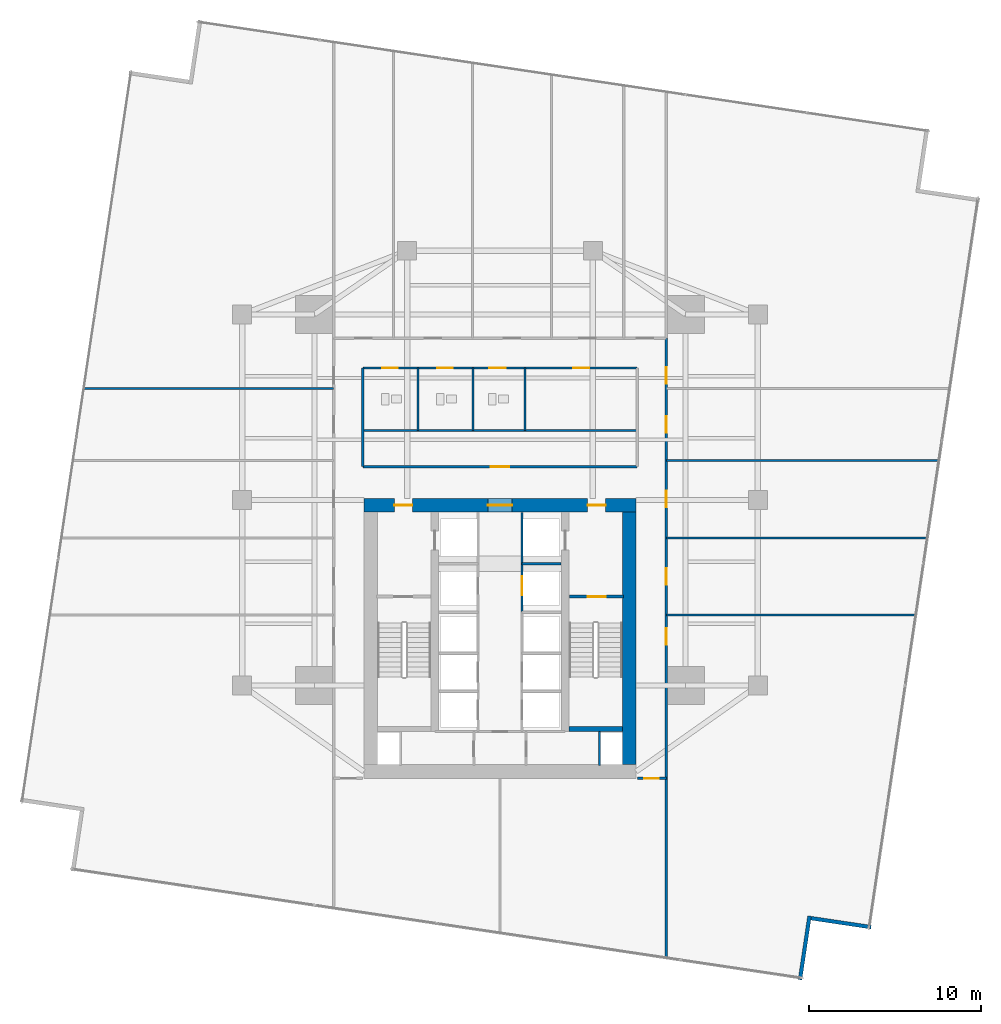
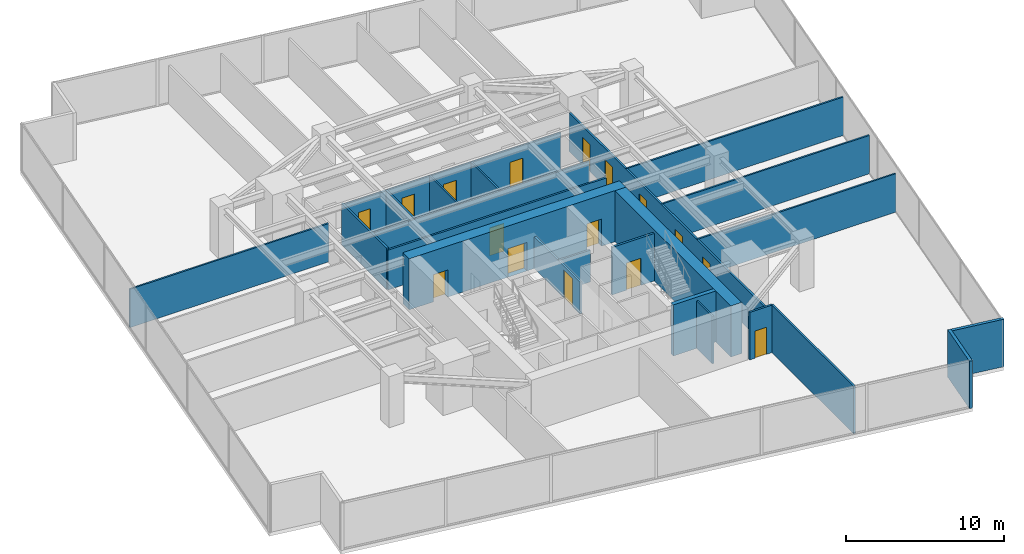
# One storey, part 26 of 29: 23 walls, 16 doors, 16 openings.
"""IFC4 building model written with IfcOpenShell, lengths in metres."""

from ifc_helpers import new_model, si_unit, direction, frame, frame_2d, origin, place, context, subcontext, project, spatial, rectangle, extrude, material, layer, layer_set, type_object, element, fill, save


model = new_model("IFC4")

# Units and contexts
model_context = context("Model", 3, precision=1e-05, world=origin(), true_north=direction((0.0, 1.0)))
body_context = subcontext(model_context, "Body", "Model", "MODEL_VIEW")
ifc_project = project(units=[si_unit("LENGTHUNIT", "METRE"), si_unit("AREAUNIT", "SQUARE_METRE"), si_unit("VOLUMEUNIT", "CUBIC_METRE"), si_unit("PLANEANGLEUNIT", "RADIAN"), si_unit("MASSUNIT", "GRAM", prefix="KILO")], contexts=[model_context])

# Site, building, storey
site_placement = place(None, origin())
site = spatial("IfcSite", under=ifc_project, at=site_placement, CompositionType="ELEMENT")
building_placement = place(site_placement, origin())
building = spatial("IfcBuilding", under=site, at=building_placement, Name="Krantzveldt Concourse Tower", CompositionType="ELEMENT")
storey_placement = place(building_placement, frame((0.0, 0.0, 72.39990234375)))
storey = spatial("IfcBuildingStorey", under=building, at=storey_placement, Name="L17", CompositionType="ELEMENT", Elevation=72.39990234375)

# Walls
ifc_material_1 = material(Name="Anodised aluminium 6063-T6", Category="aluminium")
ifc_layer_1 = layer(ifc_material_1, 0.219970703125, Name="Anodised aluminium 6063-T6", Category="aluminium")
ifc_layer_set_1 = layer_set([ifc_layer_1], Name="Anodised aluminium 6063-T6 (WL-EXT-NOTCH220)")
wall_type_1 = type_object("IfcWallType", Name="WL-EXT-NOTCH220", PredefinedType="ELEMENTEDWALL", material=ifc_layer_set_1)
wall_1_placement = place(storey_placement, frame((53.4560546875, -1.211669921875, 0.0), z_axis=(0.0, 0.0, 1.0), x_axis=(0.147852699435, 0.989009392913, 0.0)))
element("IfcWall", 1, at=wall_1_placement, inside=storey, type_object=wall_type_1, Name="EW-L17-NCH05", PredefinedType="ELEMENTEDWALL", context=body_context, shape_type="SweptSolid", body=[
    extrude(rectangle(XDim=3.7451171875, YDim=0.219970703125, at=frame_2d((1.87255859375, 0.0))), origin(), (0.0, 0.0, 1.0), 3.670166015625),
])
wall_2_placement = place(storey_placement, frame((54.102294921875, 2.366943359375, 0.0), z_axis=(0.0, 0.0, 1.0), x_axis=(0.989015973204, -0.147808676155, 0.0)))
element("IfcWall", 2, at=wall_2_placement, inside=storey, type_object=wall_type_1, Name="EW-L17-NCH06", PredefinedType="ELEMENTEDWALL", context=body_context, shape_type="SweptSolid", body=[
    extrude(rectangle(XDim=3.52490234375, YDim=0.219970703125, at=frame_2d((1.762451171875, 0.0))), origin(), (0.0, 0.0, 1.0), 3.670166015625),
])
ifc_material_2 = material(Name="Fire-rated gypsum plasterboard on steel stud", Category="steel")
ifc_layer_2 = layer(ifc_material_2, 0.1201171875, Name="Fire-rated gypsum plasterboard on steel stud", Category="steel")
ifc_layer_set_2 = layer_set([ifc_layer_2], Name="Fire-rated gypsum plasterboard on steel stud (WL-PART-120)")
wall_type_2 = type_object("IfcWallType", Name="WL-PART-120", PredefinedType="PARTITIONING", material=ifc_layer_set_2)
wall_3_placement = place(storey_placement, frame((28.02001953125, 30.739990234375, 0.0), z_axis=(0.0, 0.0, 1.0), x_axis=(1.0, 0.0, 0.0)))
element("IfcWall", 3, at=wall_3_placement, inside=storey, type_object=wall_type_2, Name="WP-L17-ISLM", PredefinedType="PARTITIONING", context=body_context, shape_type="SweptSolid", body=[
    extrude(rectangle(XDim=15.9599609375, YDim=0.1201171875, at=frame_2d((7.97998046875, 0.0))), origin(), (0.0, 0.0, 1.0), 3.080078125),
])
for number, where, z_axis, x_axis, name in (
    (4, (31.219970703125, 30.739990234375, 0.0), (0.0, 0.0, 1.0), (0.0, 1.0, 0.0), "WP-L17-WCD1"),
    (5, (34.419921875, 30.739990234375, 0.0), (0.0, 0.0, 1.0), (0.0, 1.0, 0.0), "WP-L17-WCD2"),
    (6, (37.449951171875, 30.739990234375, 0.0), (0.0, 0.0, 1.0), (0.0, 1.0, 0.0), "WP-L17-WCD3"),
):
    element("IfcWall", number, at=place(storey_placement, frame(where, z_axis=z_axis, x_axis=x_axis)), inside=storey, type_object=wall_type_2, Name=name, PredefinedType="PARTITIONING", context=body_context, shape_type="SweptSolid", body=[
        extrude(rectangle(XDim=3.639892578125, YDim=0.1201171875, at=frame_2d((1.81982421875, 0.0))), origin(), (0.0, 0.0, 1.0), 3.1201171875),
    ])
wall_4_placement = place(storey_placement, frame((11.784912109375, 33.199951171875, 0.0), z_axis=(0.0, 0.0, 1.0), x_axis=(1.0, 0.0, 0.0)))
element("IfcWall", 7, at=wall_4_placement, inside=storey, type_object=wall_type_2, Name="WP-L17-WD4", PredefinedType="PARTITIONING", context=body_context, shape_type="SweptSolid", body=[
    extrude(rectangle(XDim=14.53515625, YDim=0.1201171875, at=frame_2d((7.267578125, 0.0))), origin(), (0.0, 0.0, 1.0), 2.97021484375),
])
wall_5_placement = place(storey_placement, frame((45.679931640625, 20.0, 0.0), z_axis=(0.0, 0.0, 1.0), x_axis=(1.0, 0.0, 0.0)))
element("IfcWall", 8, at=wall_5_placement, inside=storey, type_object=wall_type_2, Name="WP-L17-ED1", PredefinedType="PARTITIONING", context=body_context, shape_type="SweptSolid", body=[
    extrude(rectangle(XDim=14.50537109375, YDim=0.1201171875, at=frame_2d((7.252685546875, 0.0))), origin(), (0.0, 0.0, 1.0), 2.97021484375),
])
wall_6_placement = place(storey_placement, frame((45.679931640625, 24.5, 0.0), z_axis=(0.0, 0.0, 1.0), x_axis=(1.0, 0.0, 0.0)))
element("IfcWall", 9, at=wall_6_placement, inside=storey, type_object=wall_type_2, Name="WP-L17-ED2", PredefinedType="PARTITIONING", context=body_context, shape_type="SweptSolid", body=[
    extrude(rectangle(XDim=15.177978515625, YDim=0.1201171875, at=frame_2d((7.5888671875, 0.0))), origin(), (0.0, 0.0, 1.0), 2.97021484375),
])
wall_7_placement = place(storey_placement, frame((45.679931640625, 29.0, 0.0), z_axis=(0.0, 0.0, 1.0), x_axis=(1.0, 0.0, 0.0)))
element("IfcWall", 10, at=wall_7_placement, inside=storey, type_object=wall_type_2, Name="WP-L17-ED3", PredefinedType="PARTITIONING", context=body_context, shape_type="SweptSolid", body=[
    extrude(rectangle(XDim=15.8505859375, YDim=0.1201171875, at=frame_2d((7.92529296875, 0.0))), origin(), (0.0, 0.0, 1.0), 2.97021484375),
])

# Wall, opening, door
ifc_layer_3 = layer(ifc_material_2, 0.139892578125, Name="Fire-rated gypsum plasterboard on steel stud", Category="steel")
ifc_layer_set_3 = layer_set([ifc_layer_3], Name="Fire-rated gypsum plasterboard on steel stud (WL-PART-140)")
wall_type_3 = type_object("IfcWallType", Name="WL-PART-140", PredefinedType="PARTITIONING", material=ifc_layer_set_3)
wall_8_placement = place(storey_placement, frame((28.02001953125, 28.639892578125, 0.0), z_axis=(0.0, 0.0, 1.0), x_axis=(1.0, 0.0, 0.0)))
wall_8 = element("IfcWall", 11, at=wall_8_placement, inside=storey, type_object=wall_type_3, Name="WP-L17-ISLS", PredefinedType="PARTITIONING", context=body_context, shape_type="SweptSolid", body=[
    extrude(rectangle(XDim=15.9599609375, YDim=0.139892578125, at=frame_2d((7.97998046875, 0.0))), origin(), (0.0, 0.0, 1.0), 3.080078125),
])
opening_1_placement = place(wall_8_placement, frame((7.455078125, 0.0, 0.0)))
opening_1 = element("IfcOpeningElement", 12, at=opening_1_placement, cuts=wall_8, Name="Opening D-IN105", PredefinedType="OPENING", context=body_context, shape_type="SweptSolid", body=[
    extrude(rectangle(XDim=1.050048828125, YDim=2.14990234375, at=frame_2d((0.52490234375, 1.074951171875))), frame((0.0, 0.080078125, 0.0), z_axis=(0.0, -1.0, 0.0), x_axis=(1.0, 0.0, 0.0)), (0.0, 0.0, 1.0), 0.159912109375),
])
ifc_material_3 = material(Name="Hardwood timber", Category="wood")
door_type_1 = type_object("IfcDoorType", Name="DR-INT-1050", OperationType="SINGLE_SWING_LEFT", PredefinedType="DOOR", material=ifc_material_3)
door_1_placement = place(opening_1_placement, origin())
door_1 = element("IfcDoor", 13, at=door_1_placement, inside=storey, type_object=door_type_1, Name="DR-L17-MIDB", OperationType="SINGLE_SWING_LEFT", OverallHeight=2.14990234375, OverallWidth=1.050048828125, PredefinedType="DOOR", context=body_context, shape_type="SweptSolid", body=[
    extrude(rectangle(XDim=1.050048828125, YDim=2.14990234375, at=frame_2d((0.52490234375, 1.074951171875))), frame((0.0, 0.02490234375, 0.0), z_axis=(0.0, -1.0, 0.0), x_axis=(1.0, 0.0, 0.0)), (0.0, 0.0, 1.0), 0.050048828125),
])
fill(opening_1, door_1)

# Wall, openings, doors
wall_9_placement = place(storey_placement, frame((28.02001953125, 34.3798828125, 0.0), z_axis=(0.0, 0.0, 1.0), x_axis=(1.0, 0.0, 0.0)))
wall_9 = element("IfcWall", 14, at=wall_9_placement, inside=storey, type_object=wall_type_3, Name="WP-L17-ISLN", PredefinedType="PARTITIONING", context=body_context, shape_type="SweptSolid", body=[
    extrude(rectangle(XDim=15.9599609375, YDim=0.139892578125, at=frame_2d((7.97998046875, 0.0))), origin(), (0.0, 0.0, 1.0), 3.080078125),
])
opening_2_placement = place(wall_9_placement, frame((1.1298828125, 0.0, 0.0)))
opening_2 = element("IfcOpeningElement", 15, at=opening_2_placement, cuts=wall_9, Name="Opening D-IN090", PredefinedType="OPENING", context=body_context, shape_type="SweptSolid", body=[
    extrude(rectangle(XDim=0.89990234375, YDim=2.10009765625, at=frame_2d((0.449951171875, 1.050048828125))), frame((0.0, 0.080078125, 0.0), z_axis=(0.0, -1.0, 0.0), x_axis=(1.0, 0.0, 0.0)), (0.0, 0.0, 1.0), 0.159912109375),
])
opening_3_placement = place(wall_9_placement, frame((4.330078125, 0.0, 0.0)))
opening_3 = element("IfcOpeningElement", 16, at=opening_3_placement, cuts=wall_9, Name="Opening D-IN090", PredefinedType="OPENING", context=body_context, shape_type="SweptSolid", body=[
    extrude(rectangle(XDim=0.89990234375, YDim=2.10009765625, at=frame_2d((0.449951171875, 1.050048828125))), frame((0.0, 0.080078125, 0.0), z_axis=(0.0, -1.0, 0.0), x_axis=(1.0, 0.0, 0.0)), (0.0, 0.0, 1.0), 0.159912109375),
])
opening_4_placement = place(wall_9_placement, frame((7.35498046875, 0.0, 0.0)))
opening_4 = element("IfcOpeningElement", 17, at=opening_4_placement, cuts=wall_9, Name="Opening D-IN095", PredefinedType="OPENING", context=body_context, shape_type="SweptSolid", body=[
    extrude(rectangle(XDim=0.949951171875, YDim=2.10009765625, at=frame_2d((0.47509765625, 1.050048828125))), frame((0.0, 0.080078125, 0.0), z_axis=(0.0, -1.0, 0.0), x_axis=(1.0, 0.0, 0.0)), (0.0, 0.0, 1.0), 0.159912109375),
])
opening_5_placement = place(wall_9_placement, frame((12.22998046875, 0.0, 0.0)))
opening_5 = element("IfcOpeningElement", 18, at=opening_5_placement, cuts=wall_9, Name="Opening D-IN095", PredefinedType="OPENING", context=body_context, shape_type="SweptSolid", body=[
    extrude(rectangle(XDim=0.949951171875, YDim=2.10009765625, at=frame_2d((0.47509765625, 1.050048828125))), frame((0.0, 0.080078125, 0.0), z_axis=(0.0, -1.0, 0.0), x_axis=(1.0, 0.0, 0.0)), (0.0, 0.0, 1.0), 0.159912109375),
])
door_type_2 = type_object("IfcDoorType", Name="DR-INT-900", OperationType="SINGLE_SWING_LEFT", PredefinedType="DOOR", material=ifc_material_3)
door_2_placement = place(opening_2_placement, origin())
door_2 = element("IfcDoor", 19, at=door_2_placement, inside=storey, type_object=door_type_2, Name="DR-L17-WCM", OperationType="SINGLE_SWING_LEFT", OverallHeight=2.10009765625, OverallWidth=0.89990234375, PredefinedType="DOOR", context=body_context, shape_type="SweptSolid", body=[
    extrude(rectangle(XDim=0.89990234375, YDim=2.10009765625, at=frame_2d((0.449951171875, 1.050048828125))), frame((0.0, 0.02490234375, 0.0), z_axis=(0.0, -1.0, 0.0), x_axis=(1.0, 0.0, 0.0)), (0.0, 0.0, 1.0), 0.050048828125),
])
fill(opening_2, door_2)
door_3_placement = place(opening_3_placement, origin())
door_3 = element("IfcDoor", 20, at=door_3_placement, inside=storey, type_object=door_type_2, Name="DR-L17-WCF", OperationType="SINGLE_SWING_RIGHT", OverallHeight=2.10009765625, OverallWidth=0.89990234375, PredefinedType="DOOR", context=body_context, shape_type="SweptSolid", body=[
    extrude(rectangle(XDim=0.89990234375, YDim=2.10009765625, at=frame_2d((0.449951171875, 1.050048828125))), frame((0.0, 0.02490234375, 0.0), z_axis=(0.0, -1.0, 0.0), x_axis=(1.0, 0.0, 0.0)), (0.0, 0.0, 1.0), 0.050048828125),
])
fill(opening_3, door_3)
door_type_3 = type_object("IfcDoorType", Name="DR-INT-950", OperationType="SINGLE_SWING_LEFT", PredefinedType="DOOR", material=ifc_material_3)
door_4_placement = place(opening_4_placement, origin())
door_4 = element("IfcDoor", 21, at=door_4_placement, inside=storey, type_object=door_type_3, Name="DR-L17-WCA", OperationType="SINGLE_SWING_LEFT", OverallHeight=2.10009765625, OverallWidth=0.949951171875, PredefinedType="DOOR", context=body_context, shape_type="SweptSolid", body=[
    extrude(rectangle(XDim=0.949951171875, YDim=2.10009765625, at=frame_2d((0.47509765625, 1.050048828125))), frame((0.0, 0.02490234375, 0.0), z_axis=(0.0, -1.0, 0.0), x_axis=(1.0, 0.0, 0.0)), (0.0, 0.0, 1.0), 0.050048828125),
])
fill(opening_4, door_4)
door_5_placement = place(opening_5_placement, origin())
door_5 = element("IfcDoor", 22, at=door_5_placement, inside=storey, type_object=door_type_3, Name="DR-L17-PNT", OperationType="SINGLE_SWING_RIGHT", OverallHeight=2.10009765625, OverallWidth=0.949951171875, PredefinedType="DOOR", context=body_context, shape_type="SweptSolid", body=[
    extrude(rectangle(XDim=0.949951171875, YDim=2.10009765625, at=frame_2d((0.47509765625, 1.050048828125))), frame((0.0, 0.02490234375, 0.0), z_axis=(0.0, -1.0, 0.0), x_axis=(1.0, 0.0, 0.0)), (0.0, 0.0, 1.0), 0.050048828125),
])
fill(opening_5, door_5)

# Wall
wall_10_placement = place(storey_placement, frame((28.02001953125, 28.639892578125, 0.0), z_axis=(0.0, 0.0, 1.0), x_axis=(0.0, 1.0, 0.0)))
element("IfcWall", 23, at=wall_10_placement, inside=storey, type_object=wall_type_3, Name="WP-L17-ISLW", PredefinedType="PARTITIONING", context=body_context, shape_type="SweptSolid", body=[
    extrude(rectangle(XDim=5.739990234375, YDim=0.139892578125, at=frame_2d((2.8701171875, 0.0))), origin(), (0.0, 0.0, 1.0), 3.22021484375),
])

# Wall, openings, doors
wall_11_placement = place(storey_placement, frame((45.679931640625, 10.5, 0.0), z_axis=(0.0, 0.0, 1.0), x_axis=(0.0, 1.0, 0.0)))
wall_11 = element("IfcWall", 24, at=wall_11_placement, inside=storey, type_object=wall_type_3, Name="WP-L17-CEAST", PredefinedType="PARTITIONING", context=body_context, shape_type="SweptSolid", body=[
    extrude(rectangle(XDim=25.6201171875, YDim=0.139892578125, at=frame_2d((12.81005859375, 0.0))), origin(), (0.0, 0.0, 1.0), 2.97021484375),
])
opening_6_placement = place(wall_11_placement, frame((7.77490234375, 0.0, 0.0)))
opening_6 = element("IfcOpeningElement", 25, at=opening_6_placement, cuts=wall_11, Name="Opening D-IN095", PredefinedType="OPENING", context=body_context, shape_type="SweptSolid", body=[
    extrude(rectangle(XDim=0.949951171875, YDim=2.10009765625, at=frame_2d((0.47509765625, 1.050048828125))), frame((0.0, 0.080078125, 0.0), z_axis=(0.0, -1.0, 0.0), x_axis=(1.0, 0.0, 0.0)), (0.0, 0.0, 1.0), 0.159912109375),
])
opening_7_placement = place(wall_11_placement, frame((11.27490234375, 0.0, 0.0)))
opening_7 = element("IfcOpeningElement", 26, at=opening_7_placement, cuts=wall_11, Name="Opening D-IN095", PredefinedType="OPENING", context=body_context, shape_type="SweptSolid", body=[
    extrude(rectangle(XDim=0.949951171875, YDim=2.10009765625, at=frame_2d((0.47509765625, 1.050048828125))), frame((0.0, 0.080078125, 0.0), z_axis=(0.0, -1.0, 0.0), x_axis=(1.0, 0.0, 0.0)), (0.0, 0.0, 1.0), 0.159912109375),
])
opening_8_placement = place(wall_11_placement, frame((15.77490234375, 0.0, 0.0)))
opening_8 = element("IfcOpeningElement", 27, at=opening_8_placement, cuts=wall_11, Name="Opening D-IN095", PredefinedType="OPENING", context=body_context, shape_type="SweptSolid", body=[
    extrude(rectangle(XDim=0.949951171875, YDim=2.10009765625, at=frame_2d((0.47509765625, 1.050048828125))), frame((0.0, 0.080078125, 0.0), z_axis=(0.0, -1.0, 0.0), x_axis=(1.0, 0.0, 0.0)), (0.0, 0.0, 1.0), 0.159912109375),
])
opening_9_placement = place(wall_11_placement, frame((20.125, 0.0, 0.0)))
opening_9 = element("IfcOpeningElement", 28, at=opening_9_placement, cuts=wall_11, Name="Opening D-IN095", PredefinedType="OPENING", context=body_context, shape_type="SweptSolid", body=[
    extrude(rectangle(XDim=0.949951171875, YDim=2.10009765625, at=frame_2d((0.47509765625, 1.050048828125))), frame((0.0, 0.080078125, 0.0), z_axis=(0.0, -1.0, 0.0), x_axis=(1.0, 0.0, 0.0)), (0.0, 0.0, 1.0), 0.159912109375),
])
opening_10_placement = place(wall_11_placement, frame((22.97509765625, 0.0, 0.0)))
opening_10 = element("IfcOpeningElement", 29, at=opening_10_placement, cuts=wall_11, Name="Opening D-IN095", PredefinedType="OPENING", context=body_context, shape_type="SweptSolid", body=[
    extrude(rectangle(XDim=0.949951171875, YDim=2.10009765625, at=frame_2d((0.47509765625, 1.050048828125))), frame((0.0, 0.080078125, 0.0), z_axis=(0.0, -1.0, 0.0), x_axis=(1.0, 0.0, 0.0)), (0.0, 0.0, 1.0), 0.159912109375),
])
door_6_placement = place(opening_6_placement, origin())
door_6 = element("IfcDoor", 30, at=door_6_placement, inside=storey, type_object=door_type_3, Name="DR-L17-ER1", OperationType="SINGLE_SWING_LEFT", OverallHeight=2.10009765625, OverallWidth=0.949951171875, PredefinedType="DOOR", context=body_context, shape_type="SweptSolid", body=[
    extrude(rectangle(XDim=0.949951171875, YDim=2.10009765625, at=frame_2d((0.47509765625, 1.050048828125))), frame((0.0, 0.02490234375, 0.0), z_axis=(0.0, -1.0, 0.0), x_axis=(1.0, 0.0, 0.0)), (0.0, 0.0, 1.0), 0.050048828125),
])
fill(opening_6, door_6)
door_7_placement = place(opening_7_placement, origin())
door_7 = element("IfcDoor", 31, at=door_7_placement, inside=storey, type_object=door_type_3, Name="DR-L17-ER2", OperationType="SINGLE_SWING_LEFT", OverallHeight=2.10009765625, OverallWidth=0.949951171875, PredefinedType="DOOR", context=body_context, shape_type="SweptSolid", body=[
    extrude(rectangle(XDim=0.949951171875, YDim=2.10009765625, at=frame_2d((0.47509765625, 1.050048828125))), frame((0.0, 0.02490234375, 0.0), z_axis=(0.0, -1.0, 0.0), x_axis=(1.0, 0.0, 0.0)), (0.0, 0.0, 1.0), 0.050048828125),
])
fill(opening_7, door_7)
door_8_placement = place(opening_8_placement, origin())
door_8 = element("IfcDoor", 32, at=door_8_placement, inside=storey, type_object=door_type_3, Name="DR-L17-ER3", OperationType="SINGLE_SWING_LEFT", OverallHeight=2.10009765625, OverallWidth=0.949951171875, PredefinedType="DOOR", context=body_context, shape_type="SweptSolid", body=[
    extrude(rectangle(XDim=0.949951171875, YDim=2.10009765625, at=frame_2d((0.47509765625, 1.050048828125))), frame((0.0, 0.02490234375, 0.0), z_axis=(0.0, -1.0, 0.0), x_axis=(1.0, 0.0, 0.0)), (0.0, 0.0, 1.0), 0.050048828125),
])
fill(opening_8, door_8)
door_9_placement = place(opening_9_placement, origin())
door_9 = element("IfcDoor", 33, at=door_9_placement, inside=storey, type_object=door_type_3, Name="DR-L17-ER4", OperationType="SINGLE_SWING_LEFT", OverallHeight=2.10009765625, OverallWidth=0.949951171875, PredefinedType="DOOR", context=body_context, shape_type="SweptSolid", body=[
    extrude(rectangle(XDim=0.949951171875, YDim=2.10009765625, at=frame_2d((0.47509765625, 1.050048828125))), frame((0.0, 0.02490234375, 0.0), z_axis=(0.0, -1.0, 0.0), x_axis=(1.0, 0.0, 0.0)), (0.0, 0.0, 1.0), 0.050048828125),
])
fill(opening_9, door_9)
door_10_placement = place(opening_10_placement, origin())
door_10 = element("IfcDoor", 34, at=door_10_placement, inside=storey, type_object=door_type_3, Name="DR-L17-ER5", OperationType="SINGLE_SWING_LEFT", OverallHeight=2.10009765625, OverallWidth=0.949951171875, PredefinedType="DOOR", context=body_context, shape_type="SweptSolid", body=[
    extrude(rectangle(XDim=0.949951171875, YDim=2.10009765625, at=frame_2d((0.47509765625, 1.050048828125))), frame((0.0, 0.02490234375, 0.0), z_axis=(0.0, -1.0, 0.0), x_axis=(1.0, 0.0, 0.0)), (0.0, 0.0, 1.0), 0.050048828125),
])
fill(opening_10, door_10)

# Wall, opening, door
wall_12_placement = place(storey_placement, frame((44.0, 10.5, 0.0), z_axis=(0.0, 0.0, 1.0), x_axis=(1.0, 0.0, 0.0)))
wall_12 = element("IfcWall", 35, at=wall_12_placement, inside=storey, type_object=wall_type_3, Name="WP-L17-CEBOT", PredefinedType="PARTITIONING", context=body_context, shape_type="SweptSolid", body=[
    extrude(rectangle(XDim=1.679931640625, YDim=0.139892578125, at=frame_2d((0.83984375, 0.0))), origin(), (0.0, 0.0, 1.0), 3.670166015625),
])
opening_11_placement = place(wall_12_placement, frame((0.385009765625, 0.0, 0.0)))
opening_11 = element("IfcOpeningElement", 36, at=opening_11_placement, cuts=wall_12, Name="Opening D-IN085", PredefinedType="OPENING", context=body_context, shape_type="SweptSolid", body=[
    extrude(rectangle(XDim=0.85009765625, YDim=2.10009765625, at=frame_2d((0.425048828125, 1.050048828125))), frame((0.0, 0.080078125, 0.0), z_axis=(0.0, -1.0, 0.0), x_axis=(1.0, 0.0, 0.0)), (0.0, 0.0, 1.0), 0.159912109375),
])
door_type_4 = type_object("IfcDoorType", Name="DR-INT-850", OperationType="SINGLE_SWING_LEFT", PredefinedType="DOOR", material=ifc_material_3)
door_11_placement = place(opening_11_placement, origin())
door_11 = element("IfcDoor", 37, at=door_11_placement, inside=storey, type_object=door_type_4, Name="DR-L17-SR2", OperationType="SINGLE_SWING_LEFT", OverallHeight=2.10009765625, OverallWidth=0.85009765625, PredefinedType="DOOR", context=body_context, shape_type="SweptSolid", body=[
    extrude(rectangle(XDim=0.85009765625, YDim=2.10009765625, at=frame_2d((0.425048828125, 1.050048828125))), frame((0.0, 0.02490234375, 0.0), z_axis=(0.0, -1.0, 0.0), x_axis=(1.0, 0.0, 0.0)), (0.0, 0.0, 1.0), 0.050048828125),
])
fill(opening_11, door_11)

# Wall
wall_13_placement = place(storey_placement, frame((45.679931640625, 0.066650390625, 0.0), z_axis=(0.0, 0.0, 1.0), x_axis=(0.0, 1.0, 0.0)))
element("IfcWall", 38, at=wall_13_placement, inside=storey, type_object=wall_type_3, Name="WP-L17-SER", PredefinedType="PARTITIONING", context=body_context, shape_type="SweptSolid", body=[
    extrude(rectangle(XDim=10.433349609375, YDim=0.139892578125, at=frame_2d((5.216796875, 0.0))), origin(), (0.0, 0.0, 1.0), 3.670166015625),
])

# Wall, opening, door
ifc_layer_4 = layer(ifc_material_2, 0.139892578125, Name="Fire-rated gypsum plasterboard on steel stud", Category="steel")
ifc_layer_set_4 = layer_set([ifc_layer_4], Name="Fire-rated gypsum plasterboard on steel stud (WL-PART-FR140)")
wall_type_4 = type_object("IfcWallType", Name="WL-PART-FR140", PredefinedType="PARTITIONING", material=ifc_layer_set_4)
wall_14_placement = place(storey_placement, frame((37.280029296875, 20.199951171875, 0.0), z_axis=(0.0, 0.0, 1.0), x_axis=(0.0, 1.0, 0.0)))
wall_14 = element("IfcWall", 39, at=wall_14_placement, inside=storey, type_object=wall_type_4, Name="WP-L17-SHNE", PredefinedType="PARTITIONING", context=body_context, shape_type="SweptSolid", body=[
    extrude(rectangle(XDim=5.780029296875, YDim=0.139892578125, at=frame_2d((2.89013671875, 0.0))), origin(), (0.0, 0.0, 1.0), 2.47021484375),
])
opening_12_placement = place(wall_14_placement, frame((0.949951171875, 0.0, 0.0)))
opening_12 = element("IfcOpeningElement", 40, at=opening_12_placement, cuts=wall_14, Name="Opening LD", PredefinedType="OPENING", context=body_context, shape_type="SweptSolid", body=[
    extrude(rectangle(XDim=1.10009765625, YDim=2.14990234375, at=frame_2d((0.550048828125, 1.074951171875))), frame((0.0, 0.080078125, 0.0), z_axis=(0.0, -1.0, 0.0), x_axis=(1.0, 0.0, 0.0)), (0.0, 0.0, 1.0), 0.159912109375),
])
ifc_material_4 = material(Name="Stainless steel 316L", Category="steel")
door_type_5 = type_object("IfcDoorType", Name="DR-SLIDE-LD1100", OperationType="DOUBLE_DOOR_SLIDING", PredefinedType="DOOR", material=ifc_material_4)
door_12_placement = place(opening_12_placement, origin())
door_12 = element("IfcDoor", 41, at=door_12_placement, inside=storey, type_object=door_type_5, Name="LD-L17-GL1", OperationType="DOUBLE_DOOR_SLIDING", OverallHeight=2.14990234375, OverallWidth=1.10009765625, PredefinedType="DOOR", context=body_context, shape_type="SweptSolid", body=[
    extrude(rectangle(XDim=1.10009765625, YDim=2.14990234375, at=frame_2d((0.550048828125, 1.074951171875))), frame((0.0, 0.02490234375, 0.0), z_axis=(0.0, -1.0, 0.0), x_axis=(1.0, 0.0, 0.0)), (0.0, 0.0, 1.0), 0.050048828125),
])
fill(opening_12, door_12)

# Walls
wall_15_placement = place(storey_placement, frame((37.280029296875, 23.0, 0.0), z_axis=(0.0, 0.0, 1.0), x_axis=(1.0, 0.0, 0.0)))
element("IfcWall", 42, at=wall_15_placement, inside=storey, type_object=wall_type_4, Name="WP-L17-GLH", PredefinedType="PARTITIONING", context=body_context, shape_type="SweptSolid", body=[
    extrude(rectangle(XDim=2.27001953125, YDim=0.139892578125, at=frame_2d((1.135009765625, 0.0))), origin(), (0.0, 0.0, 1.0), 2.47021484375),
])
wall_16_placement = place(storey_placement, frame((41.780029296875, 11.25, 0.0), z_axis=(0.0, 0.0, 1.0), x_axis=(0.0, 1.0, 0.0)))
element("IfcWall", 43, at=wall_16_placement, inside=storey, type_object=wall_type_4, Name="WP-L17-RSE", PredefinedType="PARTITIONING", context=body_context, shape_type="SweptSolid", body=[
    extrude(rectangle(XDim=1.969970703125, YDim=0.1201171875, at=frame_2d((0.98486328125, 0.0))), origin(), (0.0, 0.0, 1.0), 3.670166015625),
])

# Wall, opening, door
ifc_layer_5 = layer(ifc_material_2, 0.159912109375, Name="Fire-rated gypsum plasterboard on steel stud", Category="steel")
ifc_layer_set_5 = layer_set([ifc_layer_5], Name="Fire-rated gypsum plasterboard on steel stud (WL-PART-FR160)")
wall_type_5 = type_object("IfcWallType", Name="WL-PART-FR160", PredefinedType="PARTITIONING", material=ifc_layer_set_5)
wall_17_placement = place(storey_placement, frame((40.0400390625, 21.080078125, 0.0), z_axis=(0.0, 0.0, 1.0), x_axis=(1.0, 0.0, 0.0)))
wall_17 = element("IfcWall", 44, at=wall_17_placement, inside=storey, type_object=wall_type_5, Name="WP-L17-ST2", PredefinedType="PARTITIONING", context=body_context, shape_type="SweptSolid", body=[
    extrude(rectangle(XDim=3.159912109375, YDim=0.159912109375, at=frame_2d((1.580078125, 0.0))), origin(), (0.0, 0.0, 1.0), 3.670166015625),
])
opening_13_placement = place(wall_17_placement, frame((1.054931640625, 0.0, 0.0)))
opening_13 = element("IfcOpeningElement", 45, at=opening_13_placement, cuts=wall_17, Name="Opening D-FD105", PredefinedType="OPENING", context=body_context, shape_type="SweptSolid", body=[
    extrude(rectangle(XDim=1.050048828125, YDim=2.10009765625, at=frame_2d((0.52490234375, 1.050048828125))), frame((0.0, 0.08984375, 0.0), z_axis=(0.0, -1.0, 0.0), x_axis=(1.0, 0.0, 0.0)), (0.0, 0.0, 1.0), 0.179931640625),
])
ifc_material_5 = material(Name="Galvanised steel", Category="steel")
door_type_6 = type_object("IfcDoorType", Name="DR-FD120-1050", OperationType="SINGLE_SWING_LEFT", PredefinedType="DOOR", material=ifc_material_5)
door_13_placement = place(opening_13_placement, origin())
door_13 = element("IfcDoor", 46, at=door_13_placement, inside=storey, type_object=door_type_6, Name="DR-L17-ST2", OperationType="SINGLE_SWING_LEFT", OverallHeight=2.10009765625, OverallWidth=1.050048828125, PredefinedType="DOOR", context=body_context, shape_type="SweptSolid", body=[
    extrude(rectangle(XDim=1.050048828125, YDim=2.10009765625, at=frame_2d((0.52490234375, 1.050048828125))), frame((0.0, 0.02490234375, 0.0), z_axis=(0.0, -1.0, 0.0), x_axis=(1.0, 0.0, 0.0)), (0.0, 0.0, 1.0), 0.050048828125),
])
fill(opening_13, door_13)

# Wall
ifc_material_6 = material(Name="Concrete C50/60", Category="concrete")
ifc_layer_6 = layer(ifc_material_6, 0.300048828125, Name="Concrete C50/60", Category="concrete")
ifc_layer_set_6 = layer_set([ifc_layer_6], Name="Concrete C50/60 (WL-SHEAR-300)")
wall_type_6 = type_object("IfcWallType", Name="WL-SHEAR-300", PredefinedType="SHEAR", material=ifc_layer_set_6)
wall_18_placement = place(storey_placement, frame((40.02001953125, 13.3701171875, 0.0), z_axis=(0.0, 0.0, 1.0), x_axis=(1.0, 0.0, 0.0)))
element("IfcWall", 47, at=wall_18_placement, inside=storey, type_object=wall_type_6, Name="CW-L17-ST2S", PredefinedType="SHEAR", context=body_context, shape_type="SweptSolid", body=[
    extrude(rectangle(XDim=3.10009765625, YDim=0.300048828125, at=frame_2d((1.550048828125, 0.0))), origin(), (0.0, 0.0, 1.0), 3.9501953125),
])

# Wall, openings, doors
ifc_material_7 = material(Name="Concrete C60/75", Category="concrete")
ifc_layer_7 = layer(ifc_material_7, 0.800048828125, Name="Concrete C60/75", Category="concrete")
ifc_layer_set_7 = layer_set([ifc_layer_7], Name="Concrete C60/75 (WL-SHEAR-800)")
wall_type_7 = type_object("IfcWallType", Name="WL-SHEAR-800", PredefinedType="SHEAR", material=ifc_layer_set_7)
wall_19_placement = place(storey_placement, frame((28.080078125, 26.39990234375, 0.0), z_axis=(0.0, 0.0, 1.0), x_axis=(1.0, 0.0, 0.0)))
wall_19 = element("IfcWall", 48, at=wall_19_placement, inside=storey, type_object=wall_type_7, Name="CW-L17-N", PredefinedType="SHEAR", context=body_context, shape_type="SweptSolid", body=[
    extrude(rectangle(XDim=15.83984375, YDim=0.800048828125, at=frame_2d((7.919921875, 0.0))), origin(), (0.0, 0.0, 1.0), 3.9501953125),
])
opening_14_placement = place(wall_19_placement, frame((7.219970703125, 0.0, 0.0)))
opening_14 = element("IfcOpeningElement", 49, at=opening_14_placement, cuts=wall_19, Name="Opening D-DB140", PredefinedType="OPENING", context=body_context, shape_type="SweptSolid", body=[
    extrude(rectangle(XDim=1.39990234375, YDim=2.199951171875, at=frame_2d((0.699951171875, 1.10009765625))), frame((0.0, 0.41015625, 0.0), z_axis=(0.0, -1.0, 0.0), x_axis=(1.0, 0.0, 0.0)), (0.0, 0.0, 1.0), 0.820068359375),
])
opening_15_placement = place(wall_19_placement, frame((1.77490234375, 0.0, 0.0)))
opening_15 = element("IfcOpeningElement", 50, at=opening_15_placement, cuts=wall_19, Name="Opening D-FD105", PredefinedType="OPENING", context=body_context, shape_type="SweptSolid", body=[
    extrude(rectangle(XDim=1.050048828125, YDim=2.10009765625, at=frame_2d((0.52490234375, 1.050048828125))), frame((0.0, 0.41015625, 0.0), z_axis=(0.0, -1.0, 0.0), x_axis=(1.0, 0.0, 0.0)), (0.0, 0.0, 1.0), 0.820068359375),
])
opening_16_placement = place(wall_19_placement, frame((13.014892578125, 0.0, 0.0)))
opening_16 = element("IfcOpeningElement", 51, at=opening_16_placement, cuts=wall_19, Name="Opening D-FD105", PredefinedType="OPENING", context=body_context, shape_type="SweptSolid", body=[
    extrude(rectangle(XDim=1.050048828125, YDim=2.10009765625, at=frame_2d((0.52490234375, 1.050048828125))), frame((0.0, 0.41015625, 0.0), z_axis=(0.0, -1.0, 0.0), x_axis=(1.0, 0.0, 0.0)), (0.0, 0.0, 1.0), 0.820068359375),
])
door_type_7 = type_object("IfcDoorType", Name="DR-DBL-1400", OperationType="DOUBLE_DOOR_SINGLE_SWING", PredefinedType="DOOR", material=ifc_material_1)
door_14_placement = place(opening_14_placement, origin())
door_14 = element("IfcDoor", 52, at=door_14_placement, inside=storey, type_object=door_type_7, Name="DR-L17-LLB", OperationType="DOUBLE_DOOR_SINGLE_SWING", OverallHeight=2.199951171875, OverallWidth=1.39990234375, PredefinedType="DOOR", context=body_context, shape_type="SweptSolid", body=[
    extrude(rectangle(XDim=1.39990234375, YDim=2.199951171875, at=frame_2d((0.699951171875, 1.10009765625))), frame((0.0, 0.02490234375, 0.0), z_axis=(0.0, -1.0, 0.0), x_axis=(1.0, 0.0, 0.0)), (0.0, 0.0, 1.0), 0.050048828125),
])
fill(opening_14, door_14)
door_15_placement = place(opening_15_placement, origin())
door_15 = element("IfcDoor", 53, at=door_15_placement, inside=storey, type_object=door_type_6, Name="DR-L17-FFL1", OperationType="SINGLE_SWING_LEFT", OverallHeight=2.10009765625, OverallWidth=1.050048828125, PredefinedType="DOOR", context=body_context, shape_type="SweptSolid", body=[
    extrude(rectangle(XDim=1.050048828125, YDim=2.10009765625, at=frame_2d((0.52490234375, 1.050048828125))), frame((0.0, 0.02490234375, 0.0), z_axis=(0.0, -1.0, 0.0), x_axis=(1.0, 0.0, 0.0)), (0.0, 0.0, 1.0), 0.050048828125),
])
fill(opening_15, door_15)
door_16_placement = place(opening_16_placement, origin())
door_16 = element("IfcDoor", 54, at=door_16_placement, inside=storey, type_object=door_type_6, Name="DR-L17-FFL2", OperationType="SINGLE_SWING_RIGHT", OverallHeight=2.10009765625, OverallWidth=1.050048828125, PredefinedType="DOOR", context=body_context, shape_type="SweptSolid", body=[
    extrude(rectangle(XDim=1.050048828125, YDim=2.10009765625, at=frame_2d((0.52490234375, 1.050048828125))), frame((0.0, 0.02490234375, 0.0), z_axis=(0.0, -1.0, 0.0), x_axis=(1.0, 0.0, 0.0)), (0.0, 0.0, 1.0), 0.050048828125),
])
fill(opening_16, door_16)

# Wall
wall_20_placement = place(storey_placement, frame((43.52001953125, 11.300048828125, 0.0), z_axis=(0.0, 0.0, 1.0), x_axis=(0.0, 1.0, 0.0)))
element("IfcWall", 55, at=wall_20_placement, inside=storey, type_object=wall_type_7, Name="CW-L17-E", PredefinedType="SHEAR", context=body_context, shape_type="SweptSolid", body=[
    extrude(rectangle(XDim=14.699951171875, YDim=0.800048828125, at=frame_2d((7.35009765625, 0.0))), origin(), (0.0, 0.0, 1.0), 3.9501953125),
])

save(model, "model.ifc")
